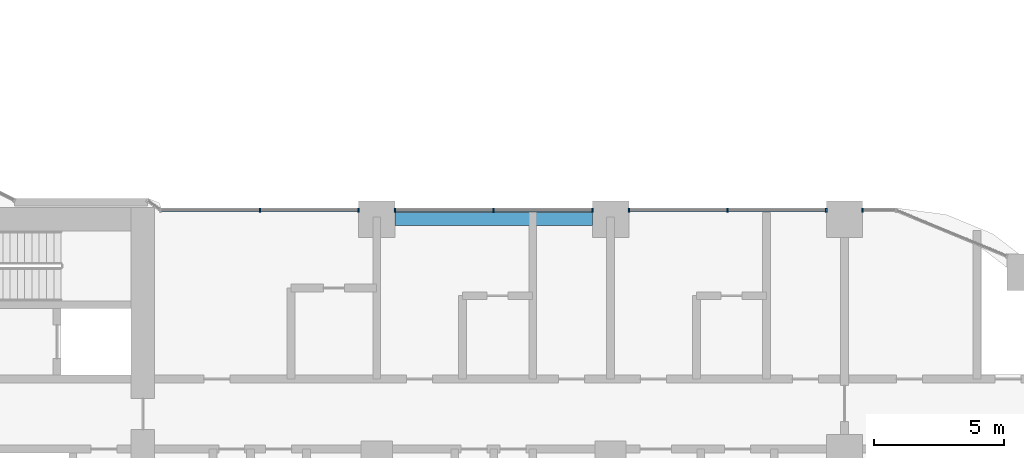
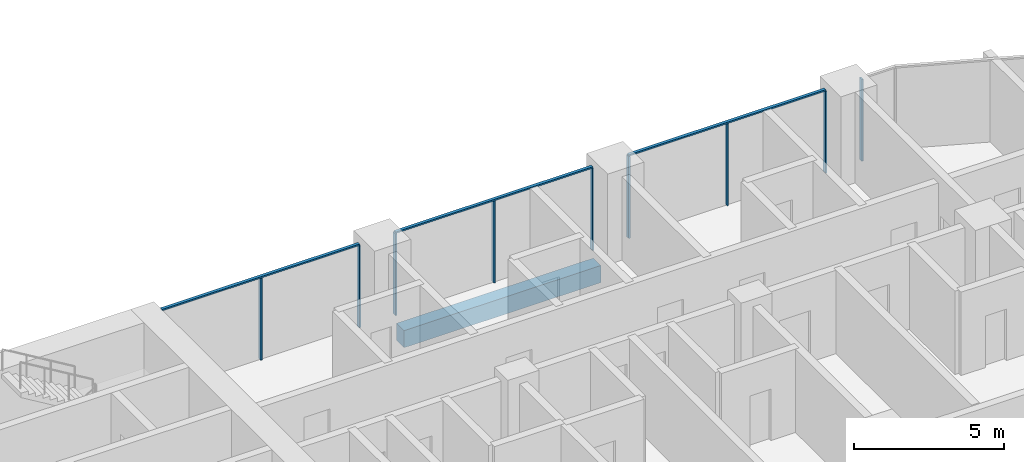
# One storey, part 4 of 31: 12 members, 1 beam, 4 elements without a shape of their own.
"""IFC4 building model written with IfcOpenShell, lengths in metres."""

from ifc_helpers import new_model, si_unit, direction, frame, origin, origin_2d, place, context, subcontext, project, spatial, rectangle, extrude, material, material_profile, profile_set, type_object, element, aggregate, save


model = new_model("IFC4")

# Units and contexts
model_context = context("Model", 3, precision=1e-05, world=origin(), true_north=direction((0.0, 1.0)))
body_context = subcontext(model_context, "Body", "Model", "MODEL_VIEW")
ifc_project = project(units=[si_unit("LENGTHUNIT", "METRE"), si_unit("AREAUNIT", "SQUARE_METRE"), si_unit("VOLUMEUNIT", "CUBIC_METRE"), si_unit("PLANEANGLEUNIT", "RADIAN"), si_unit("MASSUNIT", "GRAM", prefix="KILO")], contexts=[model_context])

# Site, building, storey
site_placement = place(None, origin())
site = spatial("IfcSite", under=ifc_project, at=site_placement, CompositionType="ELEMENT")
building_placement = place(site_placement, origin())
building = spatial("IfcBuilding", under=site, at=building_placement, Name="Ogive Portal Towers", CompositionType="ELEMENT")
storey_placement = place(building_placement, frame((0.0, 0.0, 40.89990234375)))
storey = spatial("IfcBuildingStorey", under=building, at=storey_placement, Name="L08", CompositionType="ELEMENT", Elevation=40.89990234375)

# Curtain wall, member
ifc_material_1 = material(Name="Glass, clear low-iron insulated glazing", Category="glass")
curtain_wall_type = type_object("IfcCurtainWallType", Name="CW FRONT RIBBON 4500", PredefinedType="NOTDEFINED", material=ifc_material_1)
curtain_wall_1_placement = place(storey_placement, origin())
curtain_wall_1 = element("IfcCurtainWall", 1, at=curtain_wall_1_placement, inside=storey, type_object=curtain_wall_type, Name="A:L08:f27:cw0~0", PredefinedType="NOTDEFINED")
ifc_material_2 = material(Name="Aluminium 6063 anodised", Category="aluminium")
ifc_material_profile_1 = material_profile(ifc_material_2, rectangle(XDim=0.159912109375, YDim=0.06005859375, at=origin_2d()), Name="AL 60x160")
ifc_profile_set_1 = profile_set([ifc_material_profile_1], Name="Aluminium 6063 anodised")
member_type_1 = type_object("IfcMemberType", Name="CW MULLION 60x160", PredefinedType="MULLION", material=ifc_profile_set_1)
member_1_placement = place(storey_placement, frame((86.199951171875, 39.844970703125, 0.0), z_axis=(0.0, 0.0, 1.0), x_axis=(0.0, -1.0, 0.0)))
member_1 = element("IfcMember", 2, at=member_1_placement, type_object=member_type_1, Name="mullion", PredefinedType="MULLION", context=body_context, shape_type="SweptSolid", body=[
    extrude(rectangle(XDim=0.159912109375, YDim=0.06005859375, at=origin_2d()), origin(), (0.0, 0.0, 1.0), 3.340087890625),
])
aggregate(curtain_wall_1, [member_1])

# Curtain wall, members
curtain_wall_2_placement = place(storey_placement, origin())
curtain_wall_2 = element("IfcCurtainWall", 3, at=curtain_wall_2_placement, inside=storey, type_object=curtain_wall_type, Name="A:L08:f27:cw0~1", PredefinedType="NOTDEFINED")
member_2_placement = place(storey_placement, frame((84.800048828125, 39.844970703125, 0.0), z_axis=(0.0, 0.0, 1.0), x_axis=(0.0, -1.0, 0.0)))
member_2 = element("IfcMember", 4, at=member_2_placement, type_object=member_type_1, Name="mullion", PredefinedType="MULLION", context=body_context, shape_type="SweptSolid", body=[
    extrude(rectangle(XDim=0.159912109375, YDim=0.06005859375, at=origin_2d()), origin(), (0.0, 0.0, 1.0), 3.340087890625),
])
member_3_placement = place(storey_placement, frame((81.0, 39.844970703125, 0.0), z_axis=(0.0, 0.0, 1.0), x_axis=(0.0, -1.0, 0.0)))
member_3 = element("IfcMember", 5, at=member_3_placement, type_object=member_type_1, Name="mullion", PredefinedType="MULLION", context=body_context, shape_type="SweptSolid", body=[
    extrude(rectangle(XDim=0.159912109375, YDim=0.06005859375, at=origin_2d()), origin(), (0.0, 0.0, 1.0), 3.340087890625),
])
member_4_placement = place(storey_placement, frame((77.199951171875, 39.844970703125, 0.0), z_axis=(0.0, 0.0, 1.0), x_axis=(0.0, -1.0, 0.0)))
member_4 = element("IfcMember", 6, at=member_4_placement, type_object=member_type_1, Name="mullion", PredefinedType="MULLION", context=body_context, shape_type="SweptSolid", body=[
    extrude(rectangle(XDim=0.159912109375, YDim=0.06005859375, at=origin_2d()), origin(), (0.0, 0.0, 1.0), 3.340087890625),
])

curtain_wall_3_placement = place(storey_placement, origin())
curtain_wall_3 = element("IfcCurtainWall", 7, at=curtain_wall_3_placement, inside=storey, type_object=curtain_wall_type, Name="A:L08:f27:cw0~2", PredefinedType="NOTDEFINED")
member_5_placement = place(storey_placement, frame((75.800048828125, 39.844970703125, 0.0), z_axis=(0.0, 0.0, 1.0), x_axis=(0.0, -1.0, 0.0)))
member_5 = element("IfcMember", 8, at=member_5_placement, type_object=member_type_1, Name="mullion", PredefinedType="MULLION", context=body_context, shape_type="SweptSolid", body=[
    extrude(rectangle(XDim=0.159912109375, YDim=0.06005859375, at=origin_2d()), origin(), (0.0, 0.0, 1.0), 3.340087890625),
])
member_6_placement = place(storey_placement, frame((72.0, 39.844970703125, 0.0), z_axis=(0.0, 0.0, 1.0), x_axis=(0.0, -1.0, 0.0)))
member_6 = element("IfcMember", 9, at=member_6_placement, type_object=member_type_1, Name="mullion", PredefinedType="MULLION", context=body_context, shape_type="SweptSolid", body=[
    extrude(rectangle(XDim=0.159912109375, YDim=0.06005859375, at=origin_2d()), origin(), (0.0, 0.0, 1.0), 3.340087890625),
])
member_7_placement = place(storey_placement, frame((68.199951171875, 39.844970703125, 0.0), z_axis=(0.0, 0.0, 1.0), x_axis=(0.0, -1.0, 0.0)))
member_7 = element("IfcMember", 10, at=member_7_placement, type_object=member_type_1, Name="mullion", PredefinedType="MULLION", context=body_context, shape_type="SweptSolid", body=[
    extrude(rectangle(XDim=0.159912109375, YDim=0.06005859375, at=origin_2d()), origin(), (0.0, 0.0, 1.0), 3.340087890625),
])

curtain_wall_4_placement = place(storey_placement, origin())
curtain_wall_4 = element("IfcCurtainWall", 11, at=curtain_wall_4_placement, inside=storey, type_object=curtain_wall_type, Name="A:L08:f27:cw0~3", PredefinedType="NOTDEFINED")
member_8_placement = place(storey_placement, frame((66.800048828125, 39.844970703125, 0.0), z_axis=(0.0, 0.0, 1.0), x_axis=(0.0, -1.0, 0.0)))
member_8 = element("IfcMember", 12, at=member_8_placement, type_object=member_type_1, Name="mullion", PredefinedType="MULLION", context=body_context, shape_type="SweptSolid", body=[
    extrude(rectangle(XDim=0.159912109375, YDim=0.06005859375, at=origin_2d()), origin(), (0.0, 0.0, 1.0), 3.340087890625),
])
member_9_placement = place(storey_placement, frame((63.0, 39.844970703125, 0.0), z_axis=(0.0, 0.0, 1.0), x_axis=(0.0, -1.0, 0.0)))
member_9 = element("IfcMember", 13, at=member_9_placement, type_object=member_type_1, Name="mullion", PredefinedType="MULLION", context=body_context, shape_type="SweptSolid", body=[
    extrude(rectangle(XDim=0.159912109375, YDim=0.06005859375, at=origin_2d()), origin(), (0.0, 0.0, 1.0), 3.340087890625),
])

# Member
ifc_material_profile_2 = material_profile(ifc_material_2, rectangle(XDim=0.1201171875, YDim=0.06005859375, at=origin_2d()), Name="AL 120x60")
ifc_profile_set_2 = profile_set([ifc_material_profile_2], Name="Aluminium 6063 anodised")
member_type_2 = type_object("IfcMemberType", Name="CW TRANSOM 60x120", PredefinedType="USERDEFINED", material=ifc_profile_set_2)
member_10_placement = place(storey_placement, frame((84.800048828125, 39.844970703125, 3.3701171875), z_axis=(-1.0, 0.0, 0.0), x_axis=(0.0, -1.0, 0.0)))
member_10 = element("IfcMember", 14, at=member_10_placement, type_object=member_type_2, Name="transom", ObjectType="TRANSOM", PredefinedType="USERDEFINED", context=body_context, shape_type="SweptSolid", body=[
    extrude(rectangle(XDim=0.1201171875, YDim=0.06005859375, at=origin_2d()), origin(), (0.0, 0.0, 1.0), 7.60009765625),
])

aggregate(curtain_wall_2, [member_10, member_2, member_3, member_4])

member_11_placement = place(storey_placement, frame((75.800048828125, 39.844970703125, 3.3701171875), z_axis=(-1.0, 0.0, 0.0), x_axis=(0.0, -1.0, 0.0)))
member_11 = element("IfcMember", 15, at=member_11_placement, type_object=member_type_2, Name="transom", ObjectType="TRANSOM", PredefinedType="USERDEFINED", context=body_context, shape_type="SweptSolid", body=[
    extrude(rectangle(XDim=0.1201171875, YDim=0.06005859375, at=origin_2d()), origin(), (0.0, 0.0, 1.0), 7.60009765625),
])

aggregate(curtain_wall_3, [member_11, member_5, member_6, member_7])

member_12_placement = place(storey_placement, frame((66.800048828125, 39.844970703125, 3.3701171875), z_axis=(-1.0, 0.0, 0.0), x_axis=(0.0, -1.0, 0.0)))
member_12 = element("IfcMember", 16, at=member_12_placement, type_object=member_type_2, Name="transom", ObjectType="TRANSOM", PredefinedType="USERDEFINED", context=body_context, shape_type="SweptSolid", body=[
    extrude(rectangle(XDim=0.1201171875, YDim=0.06005859375, at=origin_2d()), origin(), (0.0, 0.0, 1.0), 7.61962890625),
])

aggregate(curtain_wall_4, [member_12, member_8, member_9])

# Beam
ifc_material_3 = material(Name="Concrete C40/50", Category="concrete")
ifc_material_profile_3 = material_profile(ifc_material_3, rectangle(XDim=0.5, YDim=0.699951171875, at=origin_2d()), Name="RC 500x700")
ifc_profile_set_3 = profile_set([ifc_material_profile_3], Name="Concrete C40/50")
beam_type = type_object("IfcBeamType", Name="SPANDREL BEAM RC 500x700", PredefinedType="BEAM", material=ifc_profile_set_3)
beam_placement = place(storey_placement, frame((68.199951171875, 39.5, -0.64990234375), z_axis=(1.0, 0.0, 0.0), x_axis=(0.0, 1.0, 0.0)))
element("IfcBeam", 17, at=beam_placement, inside=storey, type_object=beam_type, Name="Spandrel beam L08", PredefinedType="BEAM", context=body_context, shape_type="SweptSolid", body=[
    extrude(rectangle(XDim=0.5, YDim=0.699951171875, at=origin_2d()), origin(), (0.0, 0.0, 1.0), 7.60009765625),
])

save(model, "model.ifc")
